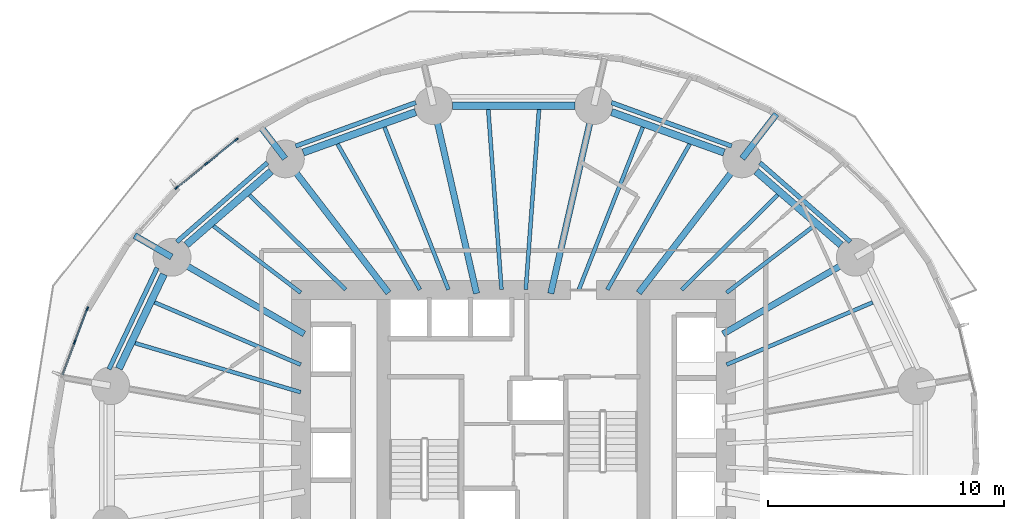
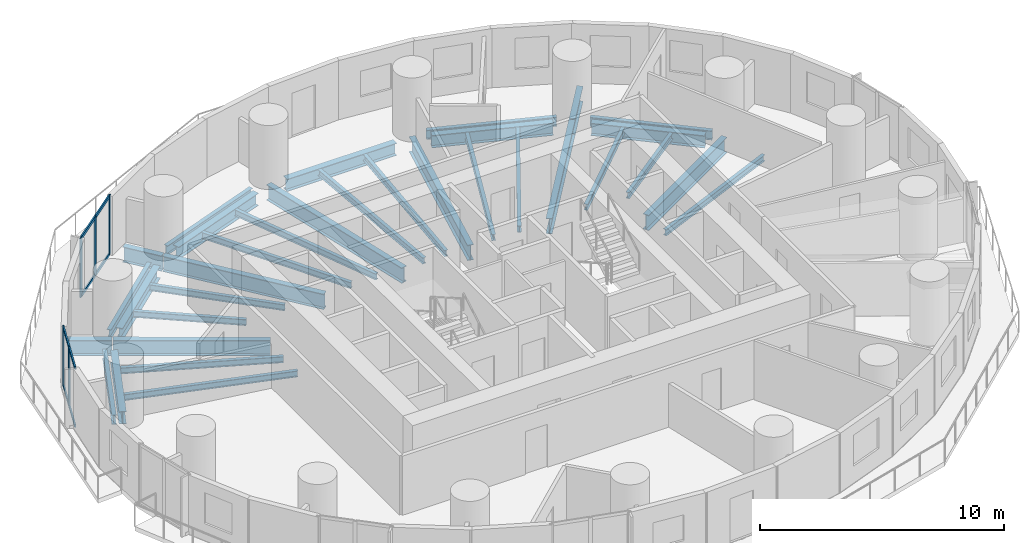
# One storey, part 4 of 14: 33 beams, 13 members, 2 elements without a shape of their own.
"""IFC4 building model written with IfcOpenShell, lengths in metres."""

from ifc_helpers import new_model, si_unit, direction, frame, origin, origin_2d, place, context, subcontext, project, spatial, rectangle, i_section, extrude, material, material_profile, profile_set, type_object, element, aggregate, save


model = new_model("IFC4")

# Units and contexts
model_context = context("Model", 3, precision=1e-05, world=origin(), true_north=direction((0.0, 1.0)))
body_context = subcontext(model_context, "Body", "Model", "MODEL_VIEW")
ifc_project = project(units=[si_unit("LENGTHUNIT", "METRE"), si_unit("AREAUNIT", "SQUARE_METRE"), si_unit("VOLUMEUNIT", "CUBIC_METRE"), si_unit("PLANEANGLEUNIT", "RADIAN"), si_unit("MASSUNIT", "GRAM", prefix="KILO")], contexts=[model_context])

# Site, building, storey
site_placement = place(None, origin())
site = spatial("IfcSite", under=ifc_project, at=site_placement, CompositionType="ELEMENT")
building_placement = place(site_placement, origin())
building = spatial("IfcBuilding", under=site, at=building_placement, Name="Veldorim Arch Residences", CompositionType="ELEMENT")
storey_placement = place(building_placement, frame((0.0, 0.0, 40.800048828125)))
storey = spatial("IfcBuildingStorey", under=building, at=storey_placement, Name="L11", CompositionType="ELEMENT", Elevation=40.800048828125)

# Beams
ifc_material_1 = material(Name="Steel S355", Category="steel")
ifc_material_profile_1 = material_profile(ifc_material_1, i_section(OverallWidth=0.30712890625, OverallDepth=0.6201171875, WebThickness=0.01416015625, FlangeThickness=0.023681640625, at=origin_2d()), Name="UB610x305x179")
ifc_profile_set_1 = profile_set([ifc_material_profile_1], Name="Steel S355")
beam_type_1 = type_object("IfcBeamType", Name="Structural Steel Beam UB610x305x179", PredefinedType="BEAM", material=ifc_profile_set_1)
beam_1_placement = place(storey_placement, frame((45.86328125, 32.913330078125, -0.550048828125), z_axis=(-0.755235029424, 0.655454079499, 0.0), x_axis=(-0.655454079499, -0.755235029424, 0.0)))
element("IfcBeam", 1, at=beam_1_placement, inside=storey, type_object=beam_type_1, Name="L11 perimeter ring tie beam 02", PredefinedType="BEAM", context=body_context, shape_type="SweptSolid", body=[
    extrude(i_section(OverallWidth=0.30712890625, OverallDepth=0.6201171875, WebThickness=0.01416015625, FlangeThickness=0.023681640625, at=origin_2d()), origin(), (0.0, 0.0, 1.0), 4.756591796875),
])
beam_2_placement = place(storey_placement, frame((40.9140625, 36.82568359375, -0.550048828125), z_axis=(-0.94103540046, 0.338308106732, 0.0), x_axis=(-0.338308106732, -0.94103540046, 0.0)))
element("IfcBeam", 2, at=beam_2_placement, inside=storey, type_object=beam_type_1, Name="L11 perimeter ring tie beam 03", PredefinedType="BEAM", context=body_context, shape_type="SweptSolid", body=[
    extrude(i_section(OverallWidth=0.30712890625, OverallDepth=0.6201171875, WebThickness=0.01416015625, FlangeThickness=0.023681640625, at=origin_2d()), origin(), (0.0, 0.0, 1.0), 5.065185546875),
])
beam_3_placement = place(storey_placement, frame((34.594482421875, 38.809814453125, -0.550048828125), z_axis=(-1.0, 0.0, 0.0), x_axis=(0.0, -1.0, 0.0)))
element("IfcBeam", 3, at=beam_3_placement, inside=storey, type_object=beam_type_1, Name="L11 perimeter ring tie beam 04", PredefinedType="BEAM", context=body_context, shape_type="SweptSolid", body=[
    extrude(i_section(OverallWidth=0.30712890625, OverallDepth=0.6201171875, WebThickness=0.01416015625, FlangeThickness=0.023681640625, at=origin_2d()), origin(), (0.0, 0.0, 1.0), 5.18896484375),
])
beam_4_placement = place(storey_placement, frame((27.8525390625, 38.539306640625, -0.550048828125), z_axis=(-0.94103540046, -0.338308106732, 0.0), x_axis=(0.338308106732, -0.94103540046, 0.0)))
element("IfcBeam", 4, at=beam_4_placement, inside=storey, type_object=beam_type_1, Name="L11 perimeter ring tie beam 05", PredefinedType="BEAM", context=body_context, shape_type="SweptSolid", body=[
    extrude(i_section(OverallWidth=0.30712890625, OverallDepth=0.6201171875, WebThickness=0.01416015625, FlangeThickness=0.023681640625, at=origin_2d()), origin(), (0.0, 0.0, 1.0), 5.065185546875),
])
beam_5_placement = place(storey_placement, frame((21.72900390625, 36.031005859375, -0.550048828125), z_axis=(-0.755235029424, -0.655454079499, 0.0), x_axis=(0.655454079499, -0.755235029424, 0.0)))
element("IfcBeam", 5, at=beam_5_placement, inside=storey, type_object=beam_type_1, Name="L11 perimeter ring tie beam 06", PredefinedType="BEAM", context=body_context, shape_type="SweptSolid", body=[
    extrude(i_section(OverallWidth=0.30712890625, OverallDepth=0.6201171875, WebThickness=0.01416015625, FlangeThickness=0.023681640625, at=origin_2d()), origin(), (0.0, 0.0, 1.0), 4.756591796875),
])
beam_6_placement = place(storey_placement, frame((17.187744140625, 31.6669921875, -0.550048828125), z_axis=(-0.430786696724, -0.902453778276, 0.0), x_axis=(0.902453778276, -0.430786696724, 0.0)))
element("IfcBeam", 6, at=beam_6_placement, inside=storey, type_object=beam_type_1, Name="L11 perimeter ring tie beam 07", PredefinedType="BEAM", context=body_context, shape_type="SweptSolid", body=[
    extrude(i_section(OverallWidth=0.30712890625, OverallDepth=0.6201171875, WebThickness=0.01416015625, FlangeThickness=0.023681640625, at=origin_2d()), origin(), (0.0, 0.0, 1.0), 4.431396484375),
])
ifc_material_2 = material(Name="Steel S355", Category="steel")
ifc_material_profile_2 = material_profile(ifc_material_2, i_section(OverallWidth=0.26806640625, OverallDepth=0.769775390625, WebThickness=0.015625, FlangeThickness=0.025390625, at=origin_2d()), Name="UB762x267x197")
ifc_profile_set_2 = profile_set([ifc_material_profile_2], Name="Steel S355")
beam_type_2 = type_object("IfcBeamType", Name="Structural Steel GIRDER UB762x267x197", PredefinedType="USERDEFINED", material=ifc_profile_set_2)
beam_7_placement = place(storey_placement, frame((40.8701171875, 29.1435546875, -0.625), z_axis=(0.865088348752, 0.501619525989, 0.0), x_axis=(-0.501619525989, 0.865088348752, 0.0)))
element("IfcBeam", 7, at=beam_7_placement, inside=storey, type_object=beam_type_2, Name="L11 radial floor girder 02", ObjectType="GIRDER", PredefinedType="USERDEFINED", context=body_context, shape_type="SweptSolid", body=[
    extrude(i_section(OverallWidth=0.26806640625, OverallDepth=0.769775390625, WebThickness=0.015625, FlangeThickness=0.025390625, at=origin_2d()), origin(), (0.0, 0.0, 1.0), 6.4501953125),
])
beam_8_placement = place(storey_placement, frame((37.298095703125, 30.881103515625, -0.625), z_axis=(0.610082439157, 0.792337943956, 0.0), x_axis=(-0.792337943956, 0.610082439157, 0.0)))
element("IfcBeam", 8, at=beam_8_placement, inside=storey, type_object=beam_type_2, Name="L11 radial floor girder 03", ObjectType="GIRDER", PredefinedType="USERDEFINED", context=body_context, shape_type="SweptSolid", body=[
    extrude(i_section(OverallWidth=0.26806640625, OverallDepth=0.769775390625, WebThickness=0.015625, FlangeThickness=0.025390625, at=origin_2d()), origin(), (0.0, 0.0, 1.0), 7.14111328125),
])
beam_9_placement = place(storey_placement, frame((41.67919921875, 36.571044921875, -0.625), z_axis=(0.610028458485, 0.792379504933, 0.0), x_axis=(-0.792379504933, 0.610028458485, 0.0)))
element("IfcBeam", 9, at=beam_9_placement, inside=storey, type_object=beam_type_2, Name="L11 radial edge cantilever girder 03", ObjectType="GIRDER", PredefinedType="USERDEFINED", context=body_context, shape_type="SweptSolid", body=[
    extrude(i_section(OverallWidth=0.26806640625, OverallDepth=0.769775390625, WebThickness=0.015625, FlangeThickness=0.025390625, at=origin_2d()), origin(), (0.0, 0.0, 1.0), 2.37646484375),
])
for number, where, z_axis, x_axis, name in (
    (10, (33.571044921875, 30.853759765625, -0.625), (0.223411766201, 0.974724157248, 0.0), (-0.974724157248, 0.223411766201, 0.0), "L11 radial floor girder 04"),
    (11, (30.428955078125, 30.853759765625, -0.625), (-0.223411766201, 0.974724157248, 0.0), (-0.974724157248, -0.223411766201, 0.0), "L11 radial floor girder 05"),
):
    element("IfcBeam", number, at=place(storey_placement, frame(where, z_axis=z_axis, x_axis=x_axis)), inside=storey, type_object=beam_type_2, Name=name, ObjectType="GIRDER", PredefinedType="USERDEFINED", context=body_context, shape_type="SweptSolid", body=[
        extrude(i_section(OverallWidth=0.26806640625, OverallDepth=0.769775390625, WebThickness=0.015625, FlangeThickness=0.025390625, at=origin_2d()), origin(), (0.0, 0.0, 1.0), 8.142333984375),
    ])
beam_10_placement = place(storey_placement, frame((26.701904296875, 30.881103515625, -0.625), z_axis=(-0.610082439157, 0.792337943956, 0.0), x_axis=(-0.792337943956, -0.610082439157, 0.0)))
element("IfcBeam", 12, at=beam_10_placement, inside=storey, type_object=beam_type_2, Name="L11 radial floor girder 06", ObjectType="GIRDER", PredefinedType="USERDEFINED", context=body_context, shape_type="SweptSolid", body=[
    extrude(i_section(OverallWidth=0.26806640625, OverallDepth=0.769775390625, WebThickness=0.015625, FlangeThickness=0.025390625, at=origin_2d()), origin(), (0.0, 0.0, 1.0), 7.14111328125),
])
beam_11_placement = place(storey_placement, frame((22.32080078125, 36.571044921875, -0.625), z_axis=(-0.610051931938, 0.792361432895, 0.0), x_axis=(-0.792361432895, -0.610051931938, 0.0)))
element("IfcBeam", 13, at=beam_11_placement, inside=storey, type_object=beam_type_2, Name="L11 radial edge cantilever girder 06", ObjectType="GIRDER", PredefinedType="USERDEFINED", context=body_context, shape_type="SweptSolid", body=[
    extrude(i_section(OverallWidth=0.26806640625, OverallDepth=0.769775390625, WebThickness=0.015625, FlangeThickness=0.025390625, at=origin_2d()), origin(), (0.0, 0.0, 1.0), 1.728759765625),
])
beam_12_placement = place(storey_placement, frame((23.1298828125, 29.1435546875, -0.625), z_axis=(-0.865088348752, 0.501619525989, 0.0), x_axis=(-0.501619525989, -0.865088348752, 0.0)))
element("IfcBeam", 14, at=beam_12_placement, inside=storey, type_object=beam_type_2, Name="L11 radial floor girder 07", ObjectType="GIRDER", PredefinedType="USERDEFINED", context=body_context, shape_type="SweptSolid", body=[
    extrude(i_section(OverallWidth=0.26806640625, OverallDepth=0.769775390625, WebThickness=0.015625, FlangeThickness=0.025390625, at=origin_2d()), origin(), (0.0, 0.0, 1.0), 6.4501953125),
])
beam_13_placement = place(storey_placement, frame((17.51513671875, 32.399169921875, -0.625), z_axis=(-0.86511292658, 0.501577136904, 0.0), x_axis=(-0.501577136904, -0.86511292658, 0.0)))
element("IfcBeam", 15, at=beam_13_placement, inside=storey, type_object=beam_type_2, Name="L11 radial edge cantilever girder 07", ObjectType="GIRDER", PredefinedType="USERDEFINED", context=body_context, shape_type="SweptSolid", body=[
    extrude(i_section(OverallWidth=0.26806640625, OverallDepth=0.769775390625, WebThickness=0.015625, FlangeThickness=0.025390625, at=origin_2d()), origin(), (0.0, 0.0, 1.0), 1.814697265625),
])
ifc_material_3 = material(Name="Steel S355", Category="steel")
ifc_material_profile_3 = material_profile(ifc_material_3, i_section(OverallWidth=0.165771484375, OverallDepth=0.306640625, WebThickness=0.006591796875, FlangeThickness=0.01171875, at=origin_2d()), Name="UB305x165x46")
ifc_profile_set_3 = profile_set([ifc_material_profile_3], Name="Steel S355")
beam_type_3 = type_object("IfcBeamType", Name="Structural Steel Joist UB305x165x46", PredefinedType="JOIST", material=ifc_profile_set_3)
beam_14_placement = place(storey_placement, frame((41.018310546875, 27.84130859375, -0.393310546875), z_axis=(0.920032948668, 0.391841005213, 0.0), x_axis=(-0.391841005213, 0.920032948668, 0.0)))
element("IfcBeam", 16, at=beam_14_placement, inside=storey, type_object=beam_type_3, Name="L11 secondary radial floor joist 01-2", PredefinedType="JOIST", context=body_context, shape_type="SweptSolid", body=[
    extrude(i_section(OverallWidth=0.165771484375, OverallDepth=0.306640625, WebThickness=0.006591796875, FlangeThickness=0.01171875, at=origin_2d()), origin(), (0.0, 0.0, 1.0), 6.723388671875),
])
beam_15_placement = place(storey_placement, frame((41.015869140625, 30.8876953125, -0.393310546875), z_axis=(0.794666431166, 0.607046343517, 0.0), x_axis=(-0.607046343517, 0.794666431166, 0.0)))
element("IfcBeam", 17, at=beam_15_placement, inside=storey, type_object=beam_type_3, Name="L11 secondary radial floor joist 02-1", PredefinedType="JOIST", context=body_context, shape_type="SweptSolid", body=[
    extrude(i_section(OverallWidth=0.165771484375, OverallDepth=0.306640625, WebThickness=0.006591796875, FlangeThickness=0.01171875, at=origin_2d()), origin(), (0.0, 0.0, 1.0), 4.646728515625),
])
beam_16_placement = place(storey_placement, frame((39.114990234375, 31.013916015625, -0.393310546875), z_axis=(0.712129078446, 0.702048556463, 0.0), x_axis=(-0.702048556463, 0.712129078446, 0.0)))
element("IfcBeam", 18, at=beam_16_placement, inside=storey, type_object=beam_type_3, Name="L11 secondary radial floor joist 02-2", PredefinedType="JOIST", context=body_context, shape_type="SweptSolid", body=[
    extrude(i_section(OverallWidth=0.165771484375, OverallDepth=0.306640625, WebThickness=0.006591796875, FlangeThickness=0.01171875, at=origin_2d()), origin(), (0.0, 0.0, 1.0), 5.715576171875),
])
beam_17_placement = place(storey_placement, frame((35.96875, 31.017333984375, -0.393310546875), z_axis=(0.492292335352, 0.870429926274, 0.0), x_axis=(-0.870429926274, 0.492292335352, 0.0)))
element("IfcBeam", 19, at=beam_17_placement, inside=storey, type_object=beam_type_3, Name="L11 secondary radial floor joist 03-1", PredefinedType="JOIST", context=body_context, shape_type="SweptSolid", body=[
    extrude(i_section(OverallWidth=0.165771484375, OverallDepth=0.306640625, WebThickness=0.006591796875, FlangeThickness=0.01171875, at=origin_2d()), origin(), (0.0, 0.0, 1.0), 7.083251953125),
])
beam_18_placement = place(storey_placement, frame((34.762451171875, 31.0185546875, -0.393310546875), z_axis=(0.366229833858, 0.930524426758, 0.0), x_axis=(-0.930524426758, 0.366229833858, 0.0)))
element("IfcBeam", 20, at=beam_18_placement, inside=storey, type_object=beam_type_3, Name="L11 secondary radial floor joist 03-2", PredefinedType="JOIST", context=body_context, shape_type="SweptSolid", body=[
    extrude(i_section(OverallWidth=0.165771484375, OverallDepth=0.306640625, WebThickness=0.006591796875, FlangeThickness=0.01171875, at=origin_2d()), origin(), (0.0, 0.0, 1.0), 7.3896484375),
])
for number, where, z_axis, x_axis, name in (
    (21, (32.514892578125, 31.02001953125, -0.393310546875), (0.073167620373, 0.997319657547, 0.0), (-0.997319657547, 0.073167620373, 0.0), "L11 secondary radial floor joist 04-1"),
    (22, (31.485107421875, 31.02001953125, -0.393310546875), (-0.073167620373, 0.997319657547, 0.0), (-0.997319657547, -0.073167620373, 0.0), "L11 secondary radial floor joist 04-2"),
):
    element("IfcBeam", number, at=place(storey_placement, frame(where, z_axis=z_axis, x_axis=x_axis)), inside=storey, type_object=beam_type_3, Name=name, PredefinedType="JOIST", context=body_context, shape_type="SweptSolid", body=[
        extrude(i_section(OverallWidth=0.165771484375, OverallDepth=0.306640625, WebThickness=0.006591796875, FlangeThickness=0.01171875, at=origin_2d()), origin(), (0.0, 0.0, 1.0), 7.651123046875),
    ])
beam_19_placement = place(storey_placement, frame((29.237548828125, 31.0185546875, -0.393310546875), z_axis=(-0.366229833858, 0.930524426758, 0.0), x_axis=(-0.930524426758, -0.366229833858, 0.0)))
element("IfcBeam", 23, at=beam_19_placement, inside=storey, type_object=beam_type_3, Name="L11 secondary radial floor joist 05-1", PredefinedType="JOIST", context=body_context, shape_type="SweptSolid", body=[
    extrude(i_section(OverallWidth=0.165771484375, OverallDepth=0.306640625, WebThickness=0.006591796875, FlangeThickness=0.01171875, at=origin_2d()), origin(), (0.0, 0.0, 1.0), 7.3896484375),
])
beam_20_placement = place(storey_placement, frame((28.03125, 31.017333984375, -0.393310546875), z_axis=(-0.492292335352, 0.870429926274, 0.0), x_axis=(-0.870429926274, -0.492292335352, 0.0)))
element("IfcBeam", 24, at=beam_20_placement, inside=storey, type_object=beam_type_3, Name="L11 secondary radial floor joist 05-2", PredefinedType="JOIST", context=body_context, shape_type="SweptSolid", body=[
    extrude(i_section(OverallWidth=0.165771484375, OverallDepth=0.306640625, WebThickness=0.006591796875, FlangeThickness=0.01171875, at=origin_2d()), origin(), (0.0, 0.0, 1.0), 7.083251953125),
])
beam_21_placement = place(storey_placement, frame((24.885009765625, 31.013916015625, -0.393310546875), z_axis=(-0.712129078446, 0.702048556463, 0.0), x_axis=(-0.702048556463, -0.712129078446, 0.0)))
element("IfcBeam", 25, at=beam_21_placement, inside=storey, type_object=beam_type_3, Name="L11 secondary radial floor joist 06-1", PredefinedType="JOIST", context=body_context, shape_type="SweptSolid", body=[
    extrude(i_section(OverallWidth=0.165771484375, OverallDepth=0.306640625, WebThickness=0.006591796875, FlangeThickness=0.01171875, at=origin_2d()), origin(), (0.0, 0.0, 1.0), 5.715576171875),
])
beam_22_placement = place(storey_placement, frame((22.984130859375, 30.8876953125, -0.393310546875), z_axis=(-0.794666431166, 0.607046343517, 0.0), x_axis=(-0.607046343517, -0.794666431166, 0.0)))
element("IfcBeam", 26, at=beam_22_placement, inside=storey, type_object=beam_type_3, Name="L11 secondary radial floor joist 06-2", PredefinedType="JOIST", context=body_context, shape_type="SweptSolid", body=[
    extrude(i_section(OverallWidth=0.165771484375, OverallDepth=0.306640625, WebThickness=0.006591796875, FlangeThickness=0.01171875, at=origin_2d()), origin(), (0.0, 0.0, 1.0), 4.646728515625),
])
beam_23_placement = place(storey_placement, frame((22.981689453125, 27.84130859375, -0.393310546875), z_axis=(-0.920032948668, 0.391841005213, 0.0), x_axis=(-0.391841005213, -0.920032948668, 0.0)))
element("IfcBeam", 27, at=beam_23_placement, inside=storey, type_object=beam_type_3, Name="L11 secondary radial floor joist 07-1", PredefinedType="JOIST", context=body_context, shape_type="SweptSolid", body=[
    extrude(i_section(OverallWidth=0.165771484375, OverallDepth=0.306640625, WebThickness=0.006591796875, FlangeThickness=0.01171875, at=origin_2d()), origin(), (0.0, 0.0, 1.0), 6.723388671875),
])
beam_24_placement = place(storey_placement, frame((22.980712890625, 26.67333984375, -0.393310546875), z_axis=(-0.958766778771, 0.284194060325, 0.0), x_axis=(-0.284194060325, -0.958766778771, 0.0)))
element("IfcBeam", 28, at=beam_24_placement, inside=storey, type_object=beam_type_3, Name="L11 secondary radial floor joist 07-2", PredefinedType="JOIST", context=body_context, shape_type="SweptSolid", body=[
    extrude(i_section(OverallWidth=0.165771484375, OverallDepth=0.306640625, WebThickness=0.006591796875, FlangeThickness=0.01171875, at=origin_2d()), origin(), (0.0, 0.0, 1.0), 7.3115234375),
])
ifc_material_4 = material(Name="Steel S355", Category="steel")
ifc_material_profile_4 = material_profile(ifc_material_4, i_section(OverallWidth=0.19140625, OverallDepth=0.4599609375, WebThickness=0.010009765625, FlangeThickness=0.01611328125, at=origin_2d()), Name="UB457x191x82")
ifc_profile_set_4 = profile_set([ifc_material_profile_4], Name="Steel S355")
beam_type_4 = type_object("IfcBeamType", Name="Structural Steel Spandrel UB457x191x82", PredefinedType="SPANDREL", material=ifc_profile_set_4)
beam_25_placement = place(storey_placement, frame((46.26611328125, 33.042724609375, -0.489990234375), z_axis=(-0.753250231024, 0.65773405679, 0.0), x_axis=(-0.65773405679, -0.753250231024, 0.0)))
element("IfcBeam", 29, at=beam_25_placement, inside=storey, type_object=beam_type_4, Name="L11 perimeter chord spandrel beam 02", PredefinedType="SPANDREL", context=body_context, shape_type="SweptSolid", body=[
    extrude(i_section(OverallWidth=0.19140625, OverallDepth=0.4599609375, WebThickness=0.010009765625, FlangeThickness=0.01611328125, at=origin_2d()), origin(), (0.0, 0.0, 1.0), 5.09423828125),
])
for number, where, z_axis, x_axis, name in (
    (30, (41.23681640625, 37.095947265625, -0.489990234375), (-0.940271320222, 0.340425974873, 0.0), (-0.340425974873, -0.940271320222, 0.0), "L11 perimeter chord spandrel beam 03"),
    (31, (27.8583984375, 38.940673828125, -0.489990234375), (-0.940271320222, -0.340425974873, 0.0), (0.340425974873, -0.940271320222, 0.0), "L11 perimeter chord spandrel beam 05"),
):
    element("IfcBeam", number, at=place(storey_placement, frame(where, z_axis=z_axis, x_axis=x_axis)), inside=storey, type_object=beam_type_4, Name=name, PredefinedType="SPANDREL", context=body_context, shape_type="SweptSolid", body=[
        extrude(i_section(OverallWidth=0.19140625, OverallDepth=0.4599609375, WebThickness=0.010009765625, FlangeThickness=0.01611328125, at=origin_2d()), origin(), (0.0, 0.0, 1.0), 5.4189453125),
    ])
beam_26_placement = place(storey_placement, frame((21.571044921875, 36.393310546875, -0.489990234375), z_axis=(-0.753250231024, -0.65773405679, 0.0), x_axis=(0.65773405679, -0.753250231024, 0.0)))
element("IfcBeam", 32, at=beam_26_placement, inside=storey, type_object=beam_type_4, Name="L11 perimeter chord spandrel beam 06", PredefinedType="SPANDREL", context=body_context, shape_type="SweptSolid", body=[
    extrude(i_section(OverallWidth=0.19140625, OverallDepth=0.4599609375, WebThickness=0.010009765625, FlangeThickness=0.01611328125, at=origin_2d()), origin(), (0.0, 0.0, 1.0), 5.09423828125),
])
beam_27_placement = place(storey_placement, frame((16.90185546875, 31.943603515625, -0.489990234375), z_axis=(-0.42886940858, -0.903366498374, 0.0), x_axis=(0.903366498374, -0.42886940858, 0.0)))
element("IfcBeam", 33, at=beam_27_placement, inside=storey, type_object=beam_type_4, Name="L11 perimeter chord spandrel beam 07", PredefinedType="SPANDREL", context=body_context, shape_type="SweptSolid", body=[
    extrude(i_section(OverallWidth=0.19140625, OverallDepth=0.4599609375, WebThickness=0.010009765625, FlangeThickness=0.01611328125, at=origin_2d()), origin(), (0.0, 0.0, 1.0), 4.7568359375),
])

# Curtain wall, members
ifc_material_5 = material(Name="Aluminium", Category="aluminium")
curtain_wall_type = type_object("IfcCurtainWallType", Name="Zone 1 Acoustic Low-E Unitised Curtain Wall", PredefinedType="NOTDEFINED", material=ifc_material_5)
curtain_wall_1_placement = place(storey_placement, origin())
curtain_wall_1 = element("IfcCurtainWall", 34, at=curtain_wall_1_placement, inside=storey, type_object=curtain_wall_type, Name="L11 unitised curtain wall bay 13", PredefinedType="NOTDEFINED")
ifc_material_6 = material(Name="Aluminium", Category="aluminium")
ifc_material_profile_5 = material_profile(ifc_material_6, rectangle(XDim=0.06494140625, YDim=0.175048828125, at=origin_2d()), Name="ALU_MUL_65x175")
ifc_profile_set_5 = profile_set([ifc_material_profile_5], Name="Aluminium")
member_type_1 = type_object("IfcMemberType", Name="Zone 1 Acoustic Low-E Unitised Curtain Wall Mullion 65x175", PredefinedType="MULLION", material=ifc_profile_set_5)
member_1_placement = place(storey_placement, frame((17.731689453125, 35.33740234375, 0.0), z_axis=(0.0, 0.0, 1.0), x_axis=(-0.627561647578, 0.77856687477, 0.0)))
member_1 = element("IfcMember", 35, at=member_1_placement, type_object=member_type_1, Name="CW-Z1 mullion 1", PredefinedType="MULLION", context=body_context, shape_type="SweptSolid", body=[
    extrude(rectangle(XDim=0.06494140625, YDim=0.175048828125, at=origin_2d()), origin(), (0.0, 0.0, 1.0), 2.9599609375),
])
member_2_placement = place(storey_placement, frame((18.99462890625, 36.355224609375, 0.0), z_axis=(0.0, 0.0, 1.0), x_axis=(-0.627561647578, 0.77856687477, 0.0)))
member_2 = element("IfcMember", 36, at=member_2_placement, type_object=member_type_1, Name="CW-Z1 mullion 2", PredefinedType="MULLION", context=body_context, shape_type="SweptSolid", body=[
    extrude(rectangle(XDim=0.06494140625, YDim=0.175048828125, at=origin_2d()), origin(), (0.0, 0.0, 1.0), 2.9599609375),
])
member_3_placement = place(storey_placement, frame((20.257568359375, 37.373291015625, 0.0), z_axis=(0.0, 0.0, 1.0), x_axis=(-0.627561647578, 0.77856687477, 0.0)))
member_3 = element("IfcMember", 37, at=member_3_placement, type_object=member_type_1, Name="CW-Z1 mullion 3", PredefinedType="MULLION", context=body_context, shape_type="SweptSolid", body=[
    extrude(rectangle(XDim=0.06494140625, YDim=0.175048828125, at=origin_2d()), origin(), (0.0, 0.0, 1.0), 2.9599609375),
])

curtain_wall_2_placement = place(storey_placement, origin())
curtain_wall_2 = element("IfcCurtainWall", 38, at=curtain_wall_2_placement, inside=storey, type_object=curtain_wall_type, Name="L11 unitised curtain wall bay 16", PredefinedType="NOTDEFINED")
member_4_placement = place(storey_placement, frame((13.410400390625, 28.794677734375, 0.0), z_axis=(0.0, 0.0, 1.0), x_axis=(-0.9356558675, 0.352913725454, 0.0)))
member_4 = element("IfcMember", 39, at=member_4_placement, type_object=member_type_1, Name="CW-Z1 mullion 2", PredefinedType="MULLION", context=body_context, shape_type="SweptSolid", body=[
    extrude(rectangle(XDim=0.06494140625, YDim=0.175048828125, at=origin_2d()), origin(), (0.0, 0.0, 1.0), 2.9599609375),
])
member_5_placement = place(storey_placement, frame((13.943115234375, 30.20703125, 0.0), z_axis=(0.0, 0.0, 1.0), x_axis=(-0.9356558675, 0.352913725454, 0.0)))
member_5 = element("IfcMember", 40, at=member_5_placement, type_object=member_type_1, Name="CW-Z1 mullion 3", PredefinedType="MULLION", context=body_context, shape_type="SweptSolid", body=[
    extrude(rectangle(XDim=0.06494140625, YDim=0.175048828125, at=origin_2d()), origin(), (0.0, 0.0, 1.0), 2.9599609375),
])

# Member
ifc_material_7 = material(Name="Aluminium", Category="aluminium")
ifc_material_profile_6 = material_profile(ifc_material_7, rectangle(XDim=0.06494140625, YDim=0.14990234375, at=origin_2d()), Name="ALU_TRN_65x150")
ifc_profile_set_6 = profile_set([ifc_material_profile_6], Name="Aluminium")
member_type_2 = type_object("IfcMemberType", Name="Zone 1 Acoustic Low-E Unitised Curtain Wall Transom 65x150", PredefinedType="USERDEFINED", material=ifc_profile_set_6)
member_6_placement = place(storey_placement, frame((17.757080078125, 35.357666015625, 0.032470703125), z_axis=(0.778492123333, 0.627654374563, 0.0), x_axis=(-0.627654374563, 0.778492123333, 0.0)))
member_6 = element("IfcMember", 41, at=member_6_placement, type_object=member_type_2, Name="CW-Z1 transom 1.1", ObjectType="TRANSOM", PredefinedType="USERDEFINED", context=body_context, shape_type="SweptSolid", body=[
    extrude(rectangle(XDim=0.06494140625, YDim=0.14990234375, at=origin_2d()), origin(), (0.0, 0.0, 1.0), 1.55712890625),
])

member_7_placement = place(storey_placement, frame((17.757080078125, 35.357666015625, 2.927490234375), z_axis=(0.778492123333, 0.627654374563, 0.0), x_axis=(-0.627654374563, 0.778492123333, 0.0)))
member_7 = element("IfcMember", 42, at=member_7_placement, type_object=member_type_2, Name="CW-Z1 transom 1.2", ObjectType="TRANSOM", PredefinedType="USERDEFINED", context=body_context, shape_type="SweptSolid", body=[
    extrude(rectangle(XDim=0.06494140625, YDim=0.14990234375, at=origin_2d()), origin(), (0.0, 0.0, 1.0), 1.55712890625),
])

member_8_placement = place(storey_placement, frame((19.02001953125, 36.375732421875, 0.032470703125), z_axis=(0.778568739358, 0.627559334322, 0.0), x_axis=(-0.627559334322, 0.778568739358, 0.0)))
member_8 = element("IfcMember", 43, at=member_8_placement, type_object=member_type_2, Name="CW-Z1 transom 2.1", ObjectType="TRANSOM", PredefinedType="USERDEFINED", context=body_context, shape_type="SweptSolid", body=[
    extrude(rectangle(XDim=0.06494140625, YDim=0.14990234375, at=origin_2d()), origin(), (0.0, 0.0, 1.0), 1.556884765625),
])

member_9_placement = place(storey_placement, frame((19.02001953125, 36.375732421875, 2.927490234375), z_axis=(0.778568739358, 0.627559334322, 0.0), x_axis=(-0.627559334322, 0.778568739358, 0.0)))
member_9 = element("IfcMember", 44, at=member_9_placement, type_object=member_type_2, Name="CW-Z1 transom 2.2", ObjectType="TRANSOM", PredefinedType="USERDEFINED", context=body_context, shape_type="SweptSolid", body=[
    extrude(rectangle(XDim=0.06494140625, YDim=0.14990234375, at=origin_2d()), origin(), (0.0, 0.0, 1.0), 1.556884765625),
])

aggregate(curtain_wall_1, [member_1, member_2, member_3, member_6, member_7, member_8, member_9])

member_10_placement = place(storey_placement, frame((12.88916015625, 27.41259765625, 0.032470703125), z_axis=(0.352845127387, 0.935681738669, 0.0), x_axis=(-0.935681738669, 0.352845127387, 0.0)))
member_10 = element("IfcMember", 45, at=member_10_placement, type_object=member_type_2, Name="CW-Z1 transom 1.1", ObjectType="TRANSOM", PredefinedType="USERDEFINED", context=body_context, shape_type="SweptSolid", body=[
    extrude(rectangle(XDim=0.06494140625, YDim=0.14990234375, at=origin_2d()), origin(), (0.0, 0.0, 1.0), 1.44482421875),
])

member_11_placement = place(storey_placement, frame((12.88916015625, 27.41259765625, 2.927490234375), z_axis=(0.352845127387, 0.935681738669, 0.0), x_axis=(-0.935681738669, 0.352845127387, 0.0)))
member_11 = element("IfcMember", 46, at=member_11_placement, type_object=member_type_2, Name="CW-Z1 transom 1.2", ObjectType="TRANSOM", PredefinedType="USERDEFINED", context=body_context, shape_type="SweptSolid", body=[
    extrude(rectangle(XDim=0.06494140625, YDim=0.14990234375, at=origin_2d()), origin(), (0.0, 0.0, 1.0), 1.44482421875),
])

member_12_placement = place(storey_placement, frame((13.421875, 28.8251953125, 0.032470703125), z_axis=(0.352900926809, 0.935660694834, 0.0), x_axis=(-0.935660694834, 0.352900926809, 0.0)))
member_12 = element("IfcMember", 47, at=member_12_placement, type_object=member_type_2, Name="CW-Z1 transom 2.1", ObjectType="TRANSOM", PredefinedType="USERDEFINED", context=body_context, shape_type="SweptSolid", body=[
    extrude(rectangle(XDim=0.06494140625, YDim=0.14990234375, at=origin_2d()), origin(), (0.0, 0.0, 1.0), 1.444580078125),
])

member_13_placement = place(storey_placement, frame((13.421875, 28.8251953125, 2.927490234375), z_axis=(0.352900926809, 0.935660694834, 0.0), x_axis=(-0.935660694834, 0.352900926809, 0.0)))
member_13 = element("IfcMember", 48, at=member_13_placement, type_object=member_type_2, Name="CW-Z1 transom 2.2", ObjectType="TRANSOM", PredefinedType="USERDEFINED", context=body_context, shape_type="SweptSolid", body=[
    extrude(rectangle(XDim=0.06494140625, YDim=0.14990234375, at=origin_2d()), origin(), (0.0, 0.0, 1.0), 1.444580078125),
])

aggregate(curtain_wall_2, [member_4, member_5, member_10, member_11, member_12, member_13])

save(model, "model.ifc")
